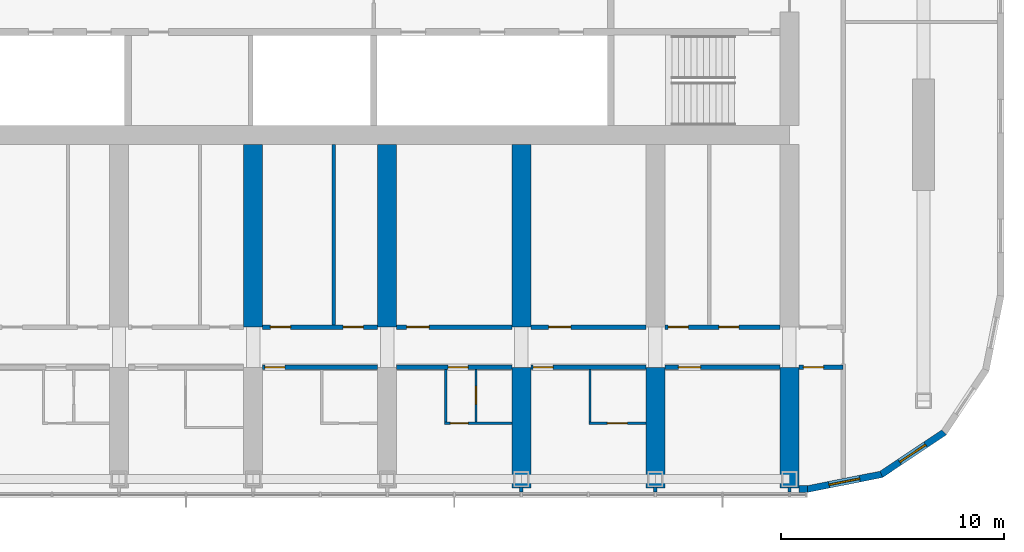
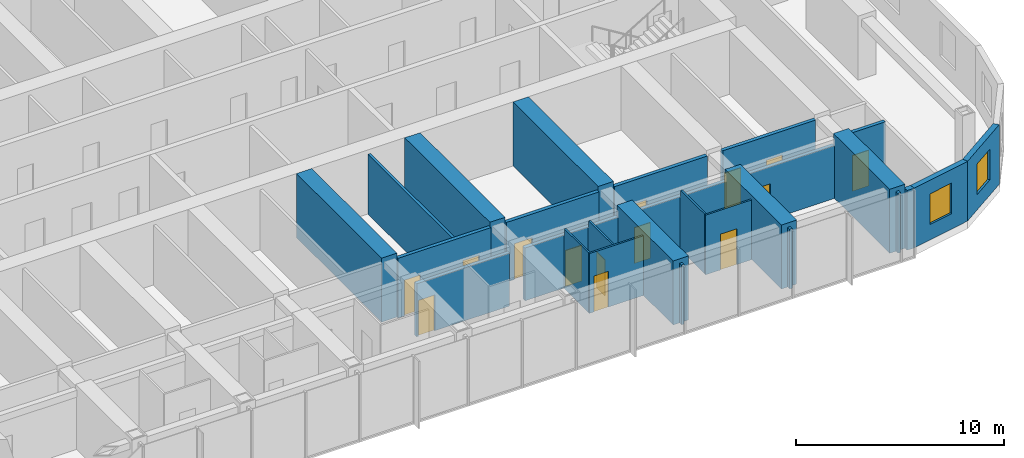
# One storey, part 16 of 29: 27 walls, 14 doors, 2 windows, 16 openings.
"""IFC4 building model written with IfcOpenShell, lengths in metres."""

import ifcopenshell
import ifcopenshell.guid

model = None  # the IFC model being written
_history = None  # IfcOwnerHistory: only IFC2X3 demands one
_inside = {}  # id of a spatial element -> (the spatial element, [elements in it])
_under = {}  # id of a project, library or spatial element -> (it, [spatial elements below it])
_declared = {}  # id of a project -> (the project, [libraries it declares])
_typed = {}  # id of a type object -> (the type object, [elements of that type])
_made_of = {}  # id of a material, layer set ... -> (it, [elements and type objects made of it])


def new_model(schema):
    """Start an empty IFC model of exactly this schema.

    Asked for "IFC4X3", IfcOpenShell would pick the latest addendum, in which some entities
    have other attributes; the version numbers below select the first issue.
    IFC2X3 requires an IfcOwnerHistory on every rooted entity: one is made here for all.
    """
    global model, _history
    if schema == "IFC4X3":
        model = ifcopenshell.file(schema_version=(4, 3, 0, 0))
    else:
        model = ifcopenshell.file(schema=schema)
    _inside.clear()
    _under.clear()
    _declared.clear()
    _typed.clear()
    _made_of.clear()
    _history = None
    if model.schema == "IFC2X3":
        org = make("IfcOrganization", Name="unknown")
        user = make(
            "IfcPersonAndOrganization",
            ThePerson=make("IfcPerson", FamilyName="unknown"),
            TheOrganization=org,
        )
        app = make(
            "IfcApplication",
            ApplicationDeveloper=org,
            Version="unknown",
            ApplicationFullName="unknown",
            ApplicationIdentifier="unknown",
        )
        _history = make(
            "IfcOwnerHistory",
            OwningUser=user,
            OwningApplication=app,
            ChangeAction="ADDED",
            CreationDate=0,
        )
    return model


def make(cls, **values):
    """One entity of the class cls with the attributes given. An attribute that is None is left unset."""
    return model.create_entity(
        cls, **{name: value for name, value in values.items() if value is not None}
    )


def rooted(cls, **values):
    """An entity with a GlobalId (a new one), such as an element, a storey or a relation."""
    return make(cls, GlobalId=ifcopenshell.guid.new(), OwnerHistory=_history, **values)


def si_unit(unit_type, name, prefix=None):
    """IfcSIUnit, for example si_unit("LENGTHUNIT", "METRE", prefix="MILLI")."""
    return make("IfcSIUnit", UnitType=unit_type, Prefix=prefix, Name=name)


def assignment(units):
    """IfcUnitAssignment: the units of a project."""
    return None if units is None else make("IfcUnitAssignment", Units=units)


def point(xyz):
    """IfcCartesianPoint."""
    return None if xyz is None else make("IfcCartesianPoint", Coordinates=xyz)


def direction(xyz):
    """IfcDirection."""
    return None if xyz is None else make("IfcDirection", DirectionRatios=xyz)


def frame(location, z_axis=None, x_axis=None):
    """IfcAxis2Placement3D, a coordinate frame: its origin and axes. An axis left out is left unset."""
    return make(
        "IfcAxis2Placement3D",
        Location=point(location),
        Axis=direction(z_axis),
        RefDirection=direction(x_axis),
    )


def frame_2d(location, x_axis=None):
    """IfcAxis2Placement2D, a coordinate frame in the plane: its origin and x axis."""
    return make(
        "IfcAxis2Placement2D", Location=point(location), RefDirection=direction(x_axis)
    )


def origin():
    """The frame at (0, 0, 0) with its axes left unset."""
    return frame((0.0, 0.0, 0.0))


def place(relative_to, where):
    """IfcLocalPlacement: puts the frame where relative to a parent placement (None: the world)."""
    return make(
        "IfcLocalPlacement", PlacementRelTo=relative_to, RelativePlacement=where
    )


def context(
    kind, dimensions, precision=None, world=None, true_north=None, identifier=None
):
    """IfcGeometricRepresentationContext, for example the 3D "Model" context."""
    return make(
        "IfcGeometricRepresentationContext",
        ContextIdentifier=identifier,
        ContextType=kind,
        CoordinateSpaceDimension=dimensions,
        Precision=precision,
        WorldCoordinateSystem=world,
        TrueNorth=true_north,
    )


def subcontext(parent, identifier, kind, view, scale=None):
    """IfcGeometricRepresentationSubContext, for example "Body" below "Model"."""
    return make(
        "IfcGeometricRepresentationSubContext",
        ContextIdentifier=identifier,
        ContextType=kind,
        ParentContext=parent,
        TargetScale=scale,
        TargetView=view,
    )


def project(units=None, contexts=None):
    """IfcProject with its units and contexts."""
    return rooted(
        "IfcProject",
        Name="project",
        RepresentationContexts=contexts,
        UnitsInContext=assignment(units),
    )


def spatial(cls, under=None, at=None, **own):
    """A site, building, storey or space (cls), placed at a placement, below another one or the project."""
    s = rooted(cls, ObjectPlacement=at, **own)
    if under is not None:
        _under.setdefault(under.id(), (under, []))[1].append(s)
    return s


def polyline(points):
    """IfcPolyline through the points."""
    return make("IfcPolyline", Points=[point(p) for p in points])


def profile(cls, at=None, kind="AREA", **sizes):
    """A parametric profile (cls). Its sizes go by their IFC names, for example OverallWidth=200.0."""
    return make(cls, ProfileType=kind, Position=at, **sizes)


def rectangle(**sizes):
    """IfcRectangleProfileDef."""
    return profile("IfcRectangleProfileDef", **sizes)


def outline(outer, holes=None, kind="AREA"):
    """IfcArbitraryClosedProfileDef: a profile drawn as a closed curve; with holes, ...WithVoids."""
    if holes is None:
        return make("IfcArbitraryClosedProfileDef", ProfileType=kind, OuterCurve=outer)
    return make(
        "IfcArbitraryProfileDefWithVoids",
        ProfileType=kind,
        OuterCurve=outer,
        InnerCurves=holes,
    )


def extrude(swept, where, along, depth):
    """IfcExtrudedAreaSolid: the profile swept, set in the frame where, extruded along a direction by depth."""
    return make(
        "IfcExtrudedAreaSolid",
        SweptArea=swept,
        Position=where,
        ExtrudedDirection=direction(along),
        Depth=depth,
    )


def shape(context_of_items, identifier, shape_type, items):
    """IfcShapeRepresentation: the items that make up one representation, for example the "Body"."""
    return make(
        "IfcShapeRepresentation",
        ContextOfItems=context_of_items,
        RepresentationIdentifier=identifier,
        RepresentationType=shape_type,
        Items=items,
    )


def material(Name=None, Category=None):
    """IfcMaterial."""
    return make("IfcMaterial", Name=Name, Category=Category)


def layer(
    of_material, thickness, ventilated=None, Name=None, Category=None, Priority=None
):
    """IfcMaterialLayer: one layer of a wall or slab, of a material (None: an air gap)."""
    return make(
        "IfcMaterialLayer",
        Material=of_material,
        LayerThickness=thickness,
        IsVentilated=ventilated,
        Name=Name,
        Category=Category,
        Priority=Priority,
    )


def layer_set(layers, Name=None):
    """IfcMaterialLayerSet."""
    return make("IfcMaterialLayerSet", MaterialLayers=layers, LayerSetName=Name)


def made_of(thing, what):
    """Note that an element or type object is made of a material, layer set ...; save() writes the relation."""
    if what is not None:
        _made_of.setdefault(what.id(), (what, []))[1].append(thing)
    return thing


def type_object(cls, material=None, **own):
    """A type object (cls), such as IfcWallType, which elements share."""
    return made_of(rooted(cls, **own), material)


def element(
    cls,
    number,
    at=None,
    inside=None,
    cuts=None,
    type_object=None,
    material=None,
    context=None,
    identifier="Body",
    shape_type=None,
    held_by="IfcProductDefinitionShape",
    body=None,
    shapes=None,
    **own,
):
    """One element of the class cls, such as IfcWall. Its Tag is "e" and its number.

    at: its placement. inside: the storey or other place that contains it. cuts: it is an
    opening in that element (IfcRelVoidsElement). A single representation is given by context,
    identifier, shape_type and body (its items); several are given by shapes. held_by: the class
    of the entity that holds the representations. save() writes the other relations.
    """
    e = rooted(cls, Tag="e%d" % number, ObjectPlacement=at, **own)
    if body is not None:
        shapes = [shape(context, identifier, shape_type, body)]
    if shapes is not None:
        e.Representation = make(held_by, Representations=shapes)
    if inside is not None:
        _inside.setdefault(inside.id(), (inside, []))[1].append(e)
    if cuts is not None:
        rooted(
            "IfcRelVoidsElement", RelatingBuildingElement=cuts, RelatedOpeningElement=e
        )
    if type_object is not None:
        _typed.setdefault(type_object.id(), (type_object, []))[1].append(e)
    return made_of(e, material)


def fill(opening, filler):
    """IfcRelFillsElement: the door or window that sits in an opening."""
    return rooted(
        "IfcRelFillsElement",
        RelatingOpeningElement=opening,
        RelatedBuildingElement=filler,
    )


def aggregate(whole, parts):
    """IfcRelAggregates: a whole, such as a stair, and the parts it consists of."""
    return rooted("IfcRelAggregates", RelatingObject=whole, RelatedObjects=parts)


def save(model, path):
    """Write the relations noted so far, then the file.

    IfcRelAggregates (storeys below a building ...), IfcRelContainedInSpatialStructure (elements
    in a storey), IfcRelDefinesByType, IfcRelAssociatesMaterial and IfcRelDeclares: one each for
    every whole, place, type object, material and project.
    """
    for whole, parts in _under.values():
        aggregate(whole, parts)
    for where, things in _inside.values():
        rooted(
            "IfcRelContainedInSpatialStructure",
            RelatedElements=things,
            RelatingStructure=where,
        )
    for kind, things in _typed.values():
        rooted("IfcRelDefinesByType", RelatedObjects=things, RelatingType=kind)
    for what, things in _made_of.values():
        rooted("IfcRelAssociatesMaterial", RelatedObjects=things, RelatingMaterial=what)
    for by, libraries in _declared.values():
        rooted("IfcRelDeclares", RelatingContext=by, RelatedDefinitions=libraries)
    model.write(path)


model = new_model("IFC4")

# Units and contexts
model_context = context("Model", 3, precision=1e-05, world=origin(), true_north=direction((0.0, 1.0)))
body_context = subcontext(model_context, "Body", "Model", "MODEL_VIEW")
ifc_project = project(units=[si_unit("LENGTHUNIT", "METRE"), si_unit("AREAUNIT", "SQUARE_METRE"), si_unit("VOLUMEUNIT", "CUBIC_METRE"), si_unit("PLANEANGLEUNIT", "RADIAN"), si_unit("MASSUNIT", "GRAM", prefix="KILO")], contexts=[model_context])

# Site, building, storey
site_placement = place(None, origin())
site = spatial("IfcSite", under=ifc_project, at=site_placement, CompositionType="ELEMENT")
building_placement = place(site_placement, origin())
building = spatial("IfcBuilding", under=site, at=building_placement, Name="Orbita Commons", CompositionType="ELEMENT")
storey_placement = place(building_placement, frame((0.0, 0.0, 148.60009765625)))
storey = spatial("IfcBuildingStorey", under=building, at=storey_placement, Name="L36", CompositionType="ELEMENT", Elevation=148.60009765625)

# Wall, opening, door
ifc_material_1 = material(Name="Concrete blockwork", Category="masonry")
ifc_layer_1 = layer(ifc_material_1, 0.199951171875)
ifc_layer_set_1 = layer_set([ifc_layer_1], Name="Concrete blockwork")
wall_type_1 = type_object("IfcWallType", Name="Corridor wall 200 blockwork", PredefinedType="SOLIDWALL", material=ifc_layer_set_1)
wall_1_placement = place(storey_placement, frame((42.425048828125, 15.39990234375, 0.0), z_axis=(0.0, 0.0, 1.0), x_axis=(1.0, 0.0, 0.0)))
wall_1 = element("IfcWall", 1, at=wall_1_placement, inside=storey, type_object=wall_type_1, Name="Corridor wall 200 blockwork L36", PredefinedType="SOLIDWALL", context=body_context, shape_type="SweptSolid", body=[
    extrude(outline(polyline([(0.0, 0.0), (5.14990234375, 0.0), (5.14990234375, 3.099853515625), (0.0, 3.099853515625), (0.0, 0.0)])), frame((0.0, 0.10009765625, 0.0), z_axis=(0.0, -1.0, 0.0), x_axis=(1.0, 0.0, 0.0)), (0.0, 0.0, 1.0), 0.199951171875),
])
opening_1_placement = place(wall_1_placement, frame((0.10009765625, 0.0, 0.0)))
opening_1 = element("IfcOpeningElement", 2, at=opening_1_placement, cuts=wall_1, Name="Opening D11", PredefinedType="OPENING", context=body_context, shape_type="SweptSolid", body=[
    extrude(rectangle(XDim=0.89990234375, YDim=2.10009765625, at=frame_2d((0.449951171875, 1.050048828125))), frame((0.0, 0.10986328125, 0.0), z_axis=(0.0, -1.0, 0.0), x_axis=(1.0, 0.0, 0.0)), (0.0, 0.0, 1.0), 0.219970703125),
])
ifc_material_2 = material(Name="Steel-faced fire door leaf", Category="steel")
door_type_1 = type_object("IfcDoorType", Name="Corridor door 20 min 900x2100", OperationType="SINGLE_SWING_LEFT", PredefinedType="DOOR", material=ifc_material_2)
door_1_placement = place(opening_1_placement, origin())
door_1 = element("IfcDoor", 3, at=door_1_placement, inside=storey, type_object=door_type_1, Name="Twin room L36-S08 door", OperationType="SINGLE_SWING_LEFT", OverallHeight=2.10009765625, OverallWidth=0.89990234375, PredefinedType="DOOR", context=body_context, shape_type="SweptSolid", body=[
    extrude(rectangle(XDim=0.89990234375, YDim=2.10009765625, at=frame_2d((0.449951171875, 1.050048828125))), frame((0.0, 0.02490234375, 0.0), z_axis=(0.0, -1.0, 0.0), x_axis=(1.0, 0.0, 0.0)), (0.0, 0.0, 1.0), 0.050048828125),
])
fill(opening_1, door_1)

wall_2_placement = place(storey_placement, frame((48.425048828125, 15.39990234375, 0.0), z_axis=(0.0, 0.0, 1.0), x_axis=(1.0, 0.0, 0.0)))
wall_2 = element("IfcWall", 4, at=wall_2_placement, inside=storey, type_object=wall_type_1, Name="Corridor wall 200 blockwork L36", PredefinedType="SOLIDWALL", context=body_context, shape_type="SweptSolid", body=[
    extrude(outline(polyline([(0.0, 0.0), (5.14990234375, 0.0), (5.14990234375, 3.099853515625), (0.0, 3.099853515625), (0.0, 0.0)])), frame((0.0, 0.10009765625, 0.0), z_axis=(0.0, -1.0, 0.0), x_axis=(1.0, 0.0, 0.0)), (0.0, 0.0, 1.0), 0.199951171875),
])
opening_2_placement = place(wall_2_placement, frame((2.300048828125, 0.0, 0.0)))
opening_2 = element("IfcOpeningElement", 5, at=opening_2_placement, cuts=wall_2, Name="Opening D11", PredefinedType="OPENING", context=body_context, shape_type="SweptSolid", body=[
    extrude(rectangle(XDim=0.89990234375, YDim=2.10009765625, at=frame_2d((0.449951171875, 1.050048828125))), frame((0.0, 0.10986328125, 0.0), z_axis=(0.0, -1.0, 0.0), x_axis=(1.0, 0.0, 0.0)), (0.0, 0.0, 1.0), 0.219970703125),
])
door_2_placement = place(opening_2_placement, origin())
door_2 = element("IfcDoor", 6, at=door_2_placement, inside=storey, type_object=door_type_1, Name="Studio flat L36-S10 entrance door", OperationType="SINGLE_SWING_LEFT", OverallHeight=2.10009765625, OverallWidth=0.89990234375, PredefinedType="DOOR", context=body_context, shape_type="SweptSolid", body=[
    extrude(rectangle(XDim=0.89990234375, YDim=2.10009765625, at=frame_2d((0.449951171875, 1.050048828125))), frame((0.0, 0.02490234375, 0.0), z_axis=(0.0, -1.0, 0.0), x_axis=(1.0, 0.0, 0.0)), (0.0, 0.0, 1.0), 0.050048828125),
])
fill(opening_2, door_2)

wall_3_placement = place(storey_placement, frame((54.425048828125, 15.39990234375, 0.0), z_axis=(0.0, 0.0, 1.0), x_axis=(1.0, 0.0, 0.0)))
wall_3 = element("IfcWall", 7, at=wall_3_placement, inside=storey, type_object=wall_type_1, Name="Corridor wall 200 blockwork L36", PredefinedType="SOLIDWALL", context=body_context, shape_type="SweptSolid", body=[
    extrude(outline(polyline([(0.0, 0.0), (5.14990234375, 0.0), (5.14990234375, 3.099853515625), (0.0, 3.099853515625), (0.0, 0.0)])), frame((0.0, 0.10009765625, 0.0), z_axis=(0.0, -1.0, 0.0), x_axis=(1.0, 0.0, 0.0)), (0.0, 0.0, 1.0), 0.199951171875),
])
opening_3_placement = place(wall_3_placement, frame((0.10009765625, 0.0, 0.0)))
opening_3 = element("IfcOpeningElement", 8, at=opening_3_placement, cuts=wall_3, Name="Opening D11", PredefinedType="OPENING", context=body_context, shape_type="SweptSolid", body=[
    extrude(rectangle(XDim=0.89990234375, YDim=2.10009765625, at=frame_2d((0.449951171875, 1.050048828125))), frame((0.0, 0.10986328125, 0.0), z_axis=(0.0, -1.0, 0.0), x_axis=(1.0, 0.0, 0.0)), (0.0, 0.0, 1.0), 0.219970703125),
])
door_3_placement = place(opening_3_placement, origin())
door_3 = element("IfcDoor", 9, at=door_3_placement, inside=storey, type_object=door_type_1, Name="Twin room L36-S12 door", OperationType="SINGLE_SWING_LEFT", OverallHeight=2.10009765625, OverallWidth=0.89990234375, PredefinedType="DOOR", context=body_context, shape_type="SweptSolid", body=[
    extrude(rectangle(XDim=0.89990234375, YDim=2.10009765625, at=frame_2d((0.449951171875, 1.050048828125))), frame((0.0, 0.02490234375, 0.0), z_axis=(0.0, -1.0, 0.0), x_axis=(1.0, 0.0, 0.0)), (0.0, 0.0, 1.0), 0.050048828125),
])
fill(opening_3, door_3)

wall_4_placement = place(storey_placement, frame((60.425048828125, 15.39990234375, 0.0), z_axis=(0.0, 0.0, 1.0), x_axis=(1.0, 0.0, 0.0)))
wall_4 = element("IfcWall", 10, at=wall_4_placement, inside=storey, type_object=wall_type_1, Name="Corridor wall 200 blockwork L36", PredefinedType="SOLIDWALL", context=body_context, shape_type="SweptSolid", body=[
    extrude(outline(polyline([(0.0, 0.0), (5.14990234375, 0.0), (5.14990234375, 3.099853515625), (0.0, 3.099853515625), (0.0, 0.0)])), frame((0.0, 0.10009765625, 0.0), z_axis=(0.0, -1.0, 0.0), x_axis=(1.0, 0.0, 0.0)), (0.0, 0.0, 1.0), 0.199951171875),
])
opening_4_placement = place(wall_4_placement, frame((0.60009765625, 0.0, 0.0)))
opening_4 = element("IfcOpeningElement", 11, at=opening_4_placement, cuts=wall_4, Name="Opening D06", PredefinedType="OPENING", context=body_context, shape_type="SweptSolid", body=[
    extrude(rectangle(XDim=1.0, YDim=2.10009765625, at=frame_2d((0.5, 1.050048828125))), frame((0.0, 0.10986328125, 0.0), z_axis=(0.0, -1.0, 0.0), x_axis=(1.0, 0.0, 0.0)), (0.0, 0.0, 1.0), 0.219970703125),
])
ifc_material_3 = material(Name="Steel-faced fire door leaf", Category="steel")
door_type_2 = type_object("IfcDoorType", Name="Corridor door 20 min 1000x2100", OperationType="SINGLE_SWING_LEFT", PredefinedType="DOOR", material=ifc_material_3)
door_4_placement = place(opening_4_placement, origin())
door_4 = element("IfcDoor", 12, at=door_4_placement, inside=storey, type_object=door_type_2, Name="Cluster kitchen-diner L36-S14 door", OperationType="SINGLE_SWING_LEFT", OverallHeight=2.10009765625, OverallWidth=1.0, PredefinedType="DOOR", context=body_context, shape_type="SweptSolid", body=[
    extrude(rectangle(XDim=1.0, YDim=2.10009765625, at=frame_2d((0.5, 1.050048828125))), frame((0.0, 0.02490234375, 0.0), z_axis=(0.0, -1.0, 0.0), x_axis=(1.0, 0.0, 0.0)), (0.0, 0.0, 1.0), 0.050048828125),
])
fill(opening_4, door_4)

wall_5_placement = place(storey_placement, frame((66.425048828125, 15.39990234375, 0.0), z_axis=(0.0, 0.0, 1.0), x_axis=(1.0, 0.0, 0.0)))
wall_5 = element("IfcWall", 13, at=wall_5_placement, inside=storey, type_object=wall_type_1, Name="Corridor wall 200 blockwork L36", PredefinedType="SOLIDWALL", context=body_context, shape_type="SweptSolid", body=[
    extrude(rectangle(XDim=1.974853515625, YDim=0.199951171875, at=frame_2d((0.9873046875, 0.0))), origin(), (0.0, 0.0, 1.0), 3.5),
])
opening_5_placement = place(wall_5_placement, frame((0.199951171875, 0.0, 0.0)))
opening_5 = element("IfcOpeningElement", 14, at=opening_5_placement, cuts=wall_5, Name="Opening D05", PredefinedType="OPENING", context=body_context, shape_type="SweptSolid", body=[
    extrude(rectangle(XDim=0.89990234375, YDim=2.10009765625, at=frame_2d((0.449951171875, 1.050048828125))), frame((0.0, 0.10986328125, 0.0), z_axis=(0.0, -1.0, 0.0), x_axis=(1.0, 0.0, 0.0)), (0.0, 0.0, 1.0), 0.219970703125),
])
ifc_material_4 = material(Name="Steel-faced fire door leaf", Category="steel")
door_type_3 = type_object("IfcDoorType", Name="Service door 20 min 900x2100", OperationType="SINGLE_SWING_LEFT", PredefinedType="DOOR", material=ifc_material_4)
door_5_placement = place(opening_5_placement, origin())
door_5 = element("IfcDoor", 15, at=door_5_placement, inside=storey, type_object=door_type_3, Name="Linen store L36-KES door", OperationType="SINGLE_SWING_LEFT", OverallHeight=2.10009765625, OverallWidth=0.89990234375, PredefinedType="DOOR", context=body_context, shape_type="SweptSolid", body=[
    extrude(rectangle(XDim=0.89990234375, YDim=2.10009765625, at=frame_2d((0.449951171875, 1.050048828125))), frame((0.0, 0.02490234375, 0.0), z_axis=(0.0, -1.0, 0.0), x_axis=(1.0, 0.0, 0.0)), (0.0, 0.0, 1.0), 0.050048828125),
])
fill(opening_5, door_5)

# Wall, openings, doors
ifc_material_5 = material(Name="Hollow concrete block 200", Category="concrete")
ifc_layer_2 = layer(ifc_material_5, 0.199951171875)
ifc_layer_set_2 = layer_set([ifc_layer_2], Name="Hollow concrete block 200")
wall_type_2 = type_object("IfcWallType", Name="Corridor wall 200 hollow concrete block", PredefinedType="SOLIDWALL", material=ifc_layer_set_2)
wall_6_placement = place(storey_placement, frame((42.425048828125, 17.199951171875, 0.0), z_axis=(0.0, 0.0, 1.0), x_axis=(1.0, 0.0, 0.0)))
wall_6 = element("IfcWall", 16, at=wall_6_placement, inside=storey, type_object=wall_type_2, Name="Corridor wall 200 hollow concrete block L36", PredefinedType="SOLIDWALL", context=body_context, shape_type="SweptSolid", body=[
    extrude(rectangle(XDim=5.14990234375, YDim=0.199951171875, at=frame_2d((2.574951171875, 0.0))), origin(), (0.0, 0.0, 1.0), 3.5),
])
opening_6_placement = place(wall_6_placement, frame((0.35009765625, 0.0, 0.0)))
opening_6 = element("IfcOpeningElement", 17, at=opening_6_placement, cuts=wall_6, Name="Opening D11", PredefinedType="OPENING", context=body_context, shape_type="SweptSolid", body=[
    extrude(rectangle(XDim=0.89990234375, YDim=2.10009765625, at=frame_2d((0.449951171875, 1.050048828125))), frame((0.0, 0.10986328125, 0.0), z_axis=(0.0, -1.0, 0.0), x_axis=(1.0, 0.0, 0.0)), (0.0, 0.0, 1.0), 0.219970703125),
])
opening_7_placement = place(wall_6_placement, frame((3.60498046875, 0.0, 0.0)))
opening_7 = element("IfcOpeningElement", 18, at=opening_7_placement, cuts=wall_6, Name="Opening D11", PredefinedType="OPENING", context=body_context, shape_type="SweptSolid", body=[
    extrude(rectangle(XDim=0.89990234375, YDim=2.10009765625, at=frame_2d((0.449951171875, 1.050048828125))), frame((0.0, 0.10986328125, 0.0), z_axis=(0.0, -1.0, 0.0), x_axis=(1.0, 0.0, 0.0)), (0.0, 0.0, 1.0), 0.219970703125),
])
door_6_placement = place(opening_6_placement, origin())
door_6 = element("IfcDoor", 19, at=door_6_placement, inside=storey, type_object=door_type_1, Name="Refuse and recycling room L36-BDS42 door", OperationType="SINGLE_SWING_LEFT", OverallHeight=2.10009765625, OverallWidth=0.89990234375, PredefinedType="DOOR", context=body_context, shape_type="SweptSolid", body=[
    extrude(rectangle(XDim=0.89990234375, YDim=2.10009765625, at=frame_2d((0.449951171875, 1.050048828125))), frame((0.0, 0.02490234375, 0.0), z_axis=(0.0, -1.0, 0.0), x_axis=(1.0, 0.0, 0.0)), (0.0, 0.0, 1.0), 0.050048828125),
])
fill(opening_6, door_6)
door_7_placement = place(opening_7_placement, origin())
door_7 = element("IfcDoor", 20, at=door_7_placement, inside=storey, type_object=door_type_1, Name="Battery and UPS room L36-BDS42n door", OperationType="SINGLE_SWING_LEFT", OverallHeight=2.10009765625, OverallWidth=0.89990234375, PredefinedType="DOOR", context=body_context, shape_type="SweptSolid", body=[
    extrude(rectangle(XDim=0.89990234375, YDim=2.10009765625, at=frame_2d((0.449951171875, 1.050048828125))), frame((0.0, 0.02490234375, 0.0), z_axis=(0.0, -1.0, 0.0), x_axis=(1.0, 0.0, 0.0)), (0.0, 0.0, 1.0), 0.050048828125),
])
fill(opening_7, door_7)

# Wall, opening, door
wall_7_placement = place(storey_placement, frame((48.425048828125, 17.199951171875, 0.0), z_axis=(0.0, 0.0, 1.0), x_axis=(1.0, 0.0, 0.0)))
wall_7 = element("IfcWall", 21, at=wall_7_placement, inside=storey, type_object=wall_type_2, Name="Corridor wall 200 hollow concrete block L36", PredefinedType="SOLIDWALL", context=body_context, shape_type="SweptSolid", body=[
    extrude(rectangle(XDim=5.14990234375, YDim=0.199951171875, at=frame_2d((2.574951171875, 0.0))), origin(), (0.0, 0.0, 1.0), 3.5),
])
opening_8_placement = place(wall_7_placement, frame((0.449951171875, 0.0, 0.0)))
opening_8 = element("IfcOpeningElement", 22, at=opening_8_placement, cuts=wall_7, Name="Opening D06", PredefinedType="OPENING", context=body_context, shape_type="SweptSolid", body=[
    extrude(rectangle(XDim=1.0, YDim=2.10009765625, at=frame_2d((0.5, 1.050048828125))), frame((0.0, 0.10986328125, 0.0), z_axis=(0.0, -1.0, 0.0), x_axis=(1.0, 0.0, 0.0)), (0.0, 0.0, 1.0), 0.219970703125),
])
door_8_placement = place(opening_8_placement, origin())
door_8 = element("IfcDoor", 23, at=door_8_placement, inside=storey, type_object=door_type_2, Name="Linen store L36-BDS48 door", OperationType="SINGLE_SWING_LEFT", OverallHeight=2.10009765625, OverallWidth=1.0, PredefinedType="DOOR", context=body_context, shape_type="SweptSolid", body=[
    extrude(rectangle(XDim=1.0, YDim=2.10009765625, at=frame_2d((0.5, 1.050048828125))), frame((0.0, 0.02490234375, 0.0), z_axis=(0.0, -1.0, 0.0), x_axis=(1.0, 0.0, 0.0)), (0.0, 0.0, 1.0), 0.050048828125),
])
fill(opening_8, door_8)

wall_8_placement = place(storey_placement, frame((54.425048828125, 17.199951171875, 0.0), z_axis=(0.0, 0.0, 1.0), x_axis=(1.0, 0.0, 0.0)))
wall_8 = element("IfcWall", 24, at=wall_8_placement, inside=storey, type_object=wall_type_2, Name="Corridor wall 200 hollow concrete block L36", PredefinedType="SOLIDWALL", context=body_context, shape_type="SweptSolid", body=[
    extrude(rectangle(XDim=5.14990234375, YDim=0.199951171875, at=frame_2d((2.574951171875, 0.0))), origin(), (0.0, 0.0, 1.0), 3.5),
])
opening_9_placement = place(wall_8_placement, frame((0.800048828125, 0.0, 0.0)))
opening_9 = element("IfcOpeningElement", 25, at=opening_9_placement, cuts=wall_8, Name="Opening D06", PredefinedType="OPENING", context=body_context, shape_type="SweptSolid", body=[
    extrude(rectangle(XDim=1.0, YDim=2.10009765625, at=frame_2d((0.5, 1.050048828125))), frame((0.0, 0.10986328125, 0.0), z_axis=(0.0, -1.0, 0.0), x_axis=(1.0, 0.0, 0.0)), (0.0, 0.0, 1.0), 0.219970703125),
])
door_9_placement = place(opening_9_placement, origin())
door_9 = element("IfcDoor", 26, at=door_9_placement, inside=storey, type_object=door_type_2, Name="Pantry L36-BDS54 door", OperationType="SINGLE_SWING_LEFT", OverallHeight=2.10009765625, OverallWidth=1.0, PredefinedType="DOOR", context=body_context, shape_type="SweptSolid", body=[
    extrude(rectangle(XDim=1.0, YDim=2.10009765625, at=frame_2d((0.5, 1.050048828125))), frame((0.0, 0.02490234375, 0.0), z_axis=(0.0, -1.0, 0.0), x_axis=(1.0, 0.0, 0.0)), (0.0, 0.0, 1.0), 0.050048828125),
])
fill(opening_9, door_9)

# Wall, openings, doors
wall_9_placement = place(storey_placement, frame((60.425048828125, 17.199951171875, 0.0), z_axis=(0.0, 0.0, 1.0), x_axis=(1.0, 0.0, 0.0)))
wall_9 = element("IfcWall", 27, at=wall_9_placement, inside=storey, type_object=wall_type_2, Name="Corridor wall 200 hollow concrete block L36", PredefinedType="SOLIDWALL", context=body_context, shape_type="SweptSolid", body=[
    extrude(rectangle(XDim=5.14990234375, YDim=0.199951171875, at=frame_2d((2.574951171875, 0.0))), origin(), (0.0, 0.0, 1.0), 3.5),
])
opening_10_placement = place(wall_9_placement, frame((0.14990234375, 0.0, 0.0)))
opening_10 = element("IfcOpeningElement", 28, at=opening_10_placement, cuts=wall_9, Name="Opening D11", PredefinedType="OPENING", context=body_context, shape_type="SweptSolid", body=[
    extrude(rectangle(XDim=0.89990234375, YDim=2.10009765625, at=frame_2d((0.449951171875, 1.050048828125))), frame((0.0, 0.10986328125, 0.0), z_axis=(0.0, -1.0, 0.0), x_axis=(1.0, 0.0, 0.0)), (0.0, 0.0, 1.0), 0.219970703125),
])
opening_11_placement = place(wall_9_placement, frame((2.4150390625, 0.0, 0.0)))
opening_11 = element("IfcOpeningElement", 29, at=opening_11_placement, cuts=wall_9, Name="Opening D11", PredefinedType="OPENING", context=body_context, shape_type="SweptSolid", body=[
    extrude(rectangle(XDim=0.89990234375, YDim=2.10009765625, at=frame_2d((0.449951171875, 1.050048828125))), frame((0.0, 0.10986328125, 0.0), z_axis=(0.0, -1.0, 0.0), x_axis=(1.0, 0.0, 0.0)), (0.0, 0.0, 1.0), 0.219970703125),
])
door_10_placement = place(opening_10_placement, origin())
door_10 = element("IfcDoor", 30, at=door_10_placement, inside=storey, type_object=door_type_1, Name="Sprinkler valve room L36-BDS60n door", OperationType="SINGLE_SWING_LEFT", OverallHeight=2.10009765625, OverallWidth=0.89990234375, PredefinedType="DOOR", context=body_context, shape_type="SweptSolid", body=[
    extrude(rectangle(XDim=0.89990234375, YDim=2.10009765625, at=frame_2d((0.449951171875, 1.050048828125))), frame((0.0, 0.02490234375, 0.0), z_axis=(0.0, -1.0, 0.0), x_axis=(1.0, 0.0, 0.0)), (0.0, 0.0, 1.0), 0.050048828125),
])
fill(opening_10, door_10)
door_11_placement = place(opening_11_placement, origin())
door_11 = element("IfcDoor", 31, at=door_11_placement, inside=storey, type_object=door_type_1, Name="Cleaners store L36-BDS60 door", OperationType="SINGLE_SWING_LEFT", OverallHeight=2.10009765625, OverallWidth=0.89990234375, PredefinedType="DOOR", context=body_context, shape_type="SweptSolid", body=[
    extrude(rectangle(XDim=0.89990234375, YDim=2.10009765625, at=frame_2d((0.449951171875, 1.050048828125))), frame((0.0, 0.02490234375, 0.0), z_axis=(0.0, -1.0, 0.0), x_axis=(1.0, 0.0, 0.0)), (0.0, 0.0, 1.0), 0.050048828125),
])
fill(opening_11, door_11)

# Walls
ifc_material_6 = material(Name="Concrete C50/60", Category="concrete")
ifc_layer_3 = layer(ifc_material_6, 0.85009765625)
ifc_layer_set_3 = layer_set([ifc_layer_3], Name="Concrete C50/60")
wall_type_3 = type_object("IfcWallType", Name="Cross wall 850 C50/60", PredefinedType="SHEAR", material=ifc_layer_set_3)
for number, where, z_axis, x_axis, name in (
    (32, (42.0, 17.199951171875, 0.0), (0.0, 0.0, 1.0), (0.0, 1.0, 0.0), "Cross wall 8 south inner L36"),
    (33, (48.0, 17.199951171875, 0.0), (0.0, 0.0, 1.0), (0.0, 1.0, 0.0), "Cross wall 9 south inner L36"),
):
    element("IfcWall", number, at=place(storey_placement, frame(where, z_axis=z_axis, x_axis=x_axis)), inside=storey, type_object=wall_type_3, Name=name, PredefinedType="SHEAR", context=body_context, shape_type="SweptSolid", body=[
        extrude(rectangle(XDim=8.175048828125, YDim=0.85009765625, at=frame_2d((4.08740234375, 0.0))), origin(), (0.0, 0.0, 1.0), 3.75),
    ])
wall_10_placement = place(storey_placement, frame((54.0, 10.0, 0.0), z_axis=(0.0, 0.0, 1.0), x_axis=(0.0, 1.0, 0.0)))
element("IfcWall", 34, at=wall_10_placement, inside=storey, type_object=wall_type_3, Name="Cross wall 10 south outer L36", PredefinedType="SHEAR", context=body_context, shape_type="SweptSolid", body=[
    extrude(rectangle(XDim=5.39990234375, YDim=0.85009765625, at=frame_2d((2.699951171875, 0.0))), origin(), (0.0, 0.0, 1.0), 3.75),
])
wall_11_placement = place(storey_placement, frame((54.0, 17.199951171875, 0.0), z_axis=(0.0, 0.0, 1.0), x_axis=(0.0, 1.0, 0.0)))
element("IfcWall", 35, at=wall_11_placement, inside=storey, type_object=wall_type_3, Name="Cross wall 10 south inner L36", PredefinedType="SHEAR", context=body_context, shape_type="SweptSolid", body=[
    extrude(rectangle(XDim=8.175048828125, YDim=0.85009765625, at=frame_2d((4.08740234375, 0.0))), origin(), (0.0, 0.0, 1.0), 3.75),
])
for number, where, z_axis, x_axis, name in (
    (36, (60.0, 10.0, 0.0), (0.0, 0.0, 1.0), (0.0, 1.0, 0.0), "Cross wall 11 south outer L36"),
    (37, (66.0, 10.0, 0.0), (0.0, 0.0, 1.0), (0.0, 1.0, 0.0), "Cross wall 12 south outer L36"),
):
    element("IfcWall", number, at=place(storey_placement, frame(where, z_axis=z_axis, x_axis=x_axis)), inside=storey, type_object=wall_type_3, Name=name, PredefinedType="SHEAR", context=body_context, shape_type="SweptSolid", body=[
        extrude(rectangle(XDim=5.39990234375, YDim=0.85009765625, at=frame_2d((2.699951171875, 0.0))), origin(), (0.0, 0.0, 1.0), 3.75),
    ])

# Wall, opening, door
ifc_material_7 = material(Name="Moisture-resistant plasterboard on steel studs", Category="steel")
ifc_layer_4 = layer(ifc_material_7, 0.10009765625)
ifc_layer_set_4 = layer_set([ifc_layer_4], Name="Moisture-resistant plasterboard on steel studs")
wall_type_4 = type_object("IfcWallType", Name="En-suite partition 100", PredefinedType="PARTITIONING", material=ifc_layer_set_4)
wall_12_placement = place(storey_placement, frame((53.574951171875, 12.89990234375, 0.0), z_axis=(0.0, 0.0, 1.0), x_axis=(-1.0, 0.0, 0.0)))
wall_12 = element("IfcWall", 38, at=wall_12_placement, inside=storey, type_object=wall_type_4, Name="En-suite partition 100 L36", PredefinedType="PARTITIONING", context=body_context, shape_type="SweptSolid", body=[
    extrude(rectangle(XDim=3.0, YDim=0.10009765625, at=frame_2d((1.5, 0.0))), origin(), (0.0, 0.0, 1.0), 3.5),
])
opening_12_placement = place(wall_12_placement, frame((1.949951171875, 0.0, 0.0)))
opening_12 = element("IfcOpeningElement", 39, at=opening_12_placement, cuts=wall_12, Name="Opening D16", PredefinedType="OPENING", context=body_context, shape_type="SweptSolid", body=[
    extrude(rectangle(XDim=0.800048828125, YDim=2.10009765625, at=frame_2d((0.39990234375, 1.050048828125))), frame((0.0, 0.06005859375, 0.0), z_axis=(0.0, -1.0, 0.0), x_axis=(1.0, 0.0, 0.0)), (0.0, 0.0, 1.0), 0.1201171875),
])
ifc_material_8 = material(Name="Laminated timber door leaf", Category="wood")
door_type_4 = type_object("IfcDoorType", Name="En-suite door 800x2100", OperationType="SINGLE_SWING_RIGHT", PredefinedType="DOOR", material=ifc_material_8)
door_12_placement = place(opening_12_placement, origin())
door_12 = element("IfcDoor", 40, at=door_12_placement, inside=storey, type_object=door_type_4, Name="Studio flat L36-S10 door", OperationType="SINGLE_SWING_RIGHT", OverallHeight=2.10009765625, OverallWidth=0.800048828125, PredefinedType="DOOR", context=body_context, shape_type="SweptSolid", body=[
    extrude(rectangle(XDim=0.800048828125, YDim=2.10009765625, at=frame_2d((0.39990234375, 1.050048828125))), frame((0.0, 0.02490234375, 0.0), z_axis=(0.0, -1.0, 0.0), x_axis=(1.0, 0.0, 0.0)), (0.0, 0.0, 1.0), 0.050048828125),
])
fill(opening_12, door_12)

# Wall
wall_13_placement = place(storey_placement, frame((50.625, 12.949951171875, 0.0), z_axis=(0.0, 0.0, 1.0), x_axis=(0.0, 1.0, 0.0)))
element("IfcWall", 41, at=wall_13_placement, inside=storey, type_object=wall_type_4, Name="En-suite partition 100 L36", PredefinedType="PARTITIONING", context=body_context, shape_type="SweptSolid", body=[
    extrude(outline(polyline([(0.0, 0.0), (2.35009765625, 0.0), (2.35009765625, 3.099853515625), (2.302001953125, 3.099853515625), (2.300048828125, 3.5), (0.0, 3.5), (0.0, 0.0)])), frame((0.0, 0.050048828125, 0.0), z_axis=(0.0, -1.0, 0.0), x_axis=(1.0, 0.0, 0.0)), (0.0, 0.0, 1.0), 0.10009765625),
])

# Wall, opening, door
wall_14_placement = place(storey_placement, frame((51.97509765625, 12.949951171875, 0.0), z_axis=(0.0, 0.0, 1.0), x_axis=(0.0, 1.0, 0.0)))
wall_14 = element("IfcWall", 42, at=wall_14_placement, inside=storey, type_object=wall_type_4, Name="En-suite partition 100 L36", PredefinedType="PARTITIONING", context=body_context, shape_type="SweptSolid", body=[
    extrude(outline(polyline([(0.0, 0.0), (2.35009765625, 0.0), (2.35009765625, 3.099853515625), (2.302001953125, 3.099853515625), (2.300048828125, 3.5), (0.0, 3.5), (0.0, 0.0)])), frame((0.0, 0.050048828125, 0.0), z_axis=(0.0, -1.0, 0.0), x_axis=(1.0, 0.0, 0.0)), (0.0, 0.0, 1.0), 0.10009765625),
])
opening_13_placement = place(wall_14_placement, frame((0.800048828125, 0.0, 0.0)))
opening_13 = element("IfcOpeningElement", 43, at=opening_13_placement, cuts=wall_14, Name="Opening D16", PredefinedType="OPENING", context=body_context, shape_type="SweptSolid", body=[
    extrude(rectangle(XDim=0.800048828125, YDim=2.10009765625, at=frame_2d((0.39990234375, 1.050048828125))), frame((0.0, 0.06005859375, 0.0), z_axis=(0.0, -1.0, 0.0), x_axis=(1.0, 0.0, 0.0)), (0.0, 0.0, 1.0), 0.1201171875),
])
door_13_placement = place(opening_13_placement, origin())
door_13 = element("IfcDoor", 44, at=door_13_placement, inside=storey, type_object=door_type_4, Name="Studio flat shower room L36-S10 door", OperationType="SINGLE_SWING_RIGHT", OverallHeight=2.10009765625, OverallWidth=0.800048828125, PredefinedType="DOOR", context=body_context, shape_type="SweptSolid", body=[
    extrude(rectangle(XDim=0.800048828125, YDim=2.10009765625, at=frame_2d((0.39990234375, 1.050048828125))), frame((0.0, 0.02490234375, 0.0), z_axis=(0.0, -1.0, 0.0), x_axis=(1.0, 0.0, 0.0)), (0.0, 0.0, 1.0), 0.050048828125),
])
fill(opening_13, door_13)

wall_15_placement = place(storey_placement, frame((59.574951171875, 12.89990234375, 0.0), z_axis=(0.0, 0.0, 1.0), x_axis=(-1.0, 0.0, 0.0)))
wall_15 = element("IfcWall", 45, at=wall_15_placement, inside=storey, type_object=wall_type_4, Name="En-suite partition 100 L36", PredefinedType="PARTITIONING", context=body_context, shape_type="SweptSolid", body=[
    extrude(rectangle(XDim=2.550048828125, YDim=0.10009765625, at=frame_2d((1.27490234375, 0.0))), origin(), (0.0, 0.0, 1.0), 3.5),
])
opening_14_placement = place(wall_15_placement, frame((0.824951171875, 0.0, 0.0)))
opening_14 = element("IfcOpeningElement", 46, at=opening_14_placement, cuts=wall_15, Name="Opening D09", PredefinedType="OPENING", context=body_context, shape_type="SweptSolid", body=[
    extrude(rectangle(XDim=0.89990234375, YDim=2.10009765625, at=frame_2d((0.449951171875, 1.050048828125))), frame((0.0, 0.06005859375, 0.0), z_axis=(0.0, -1.0, 0.0), x_axis=(1.0, 0.0, 0.0)), (0.0, 0.0, 1.0), 0.1201171875),
])
ifc_material_9 = material(Name="Laminated timber door leaf", Category="wood")
door_type_5 = type_object("IfcDoorType", Name="En-suite door 900x2100", OperationType="SINGLE_SWING_RIGHT", PredefinedType="DOOR", material=ifc_material_9)
door_14_placement = place(opening_14_placement, origin())
door_14 = element("IfcDoor", 47, at=door_14_placement, inside=storey, type_object=door_type_5, Name="En-suite L36-S12 door", OperationType="SINGLE_SWING_RIGHT", OverallHeight=2.10009765625, OverallWidth=0.89990234375, PredefinedType="DOOR", context=body_context, shape_type="SweptSolid", body=[
    extrude(rectangle(XDim=0.89990234375, YDim=2.10009765625, at=frame_2d((0.449951171875, 1.050048828125))), frame((0.0, 0.02490234375, 0.0), z_axis=(0.0, -1.0, 0.0), x_axis=(1.0, 0.0, 0.0)), (0.0, 0.0, 1.0), 0.050048828125),
])
fill(opening_14, door_14)

# Walls
wall_16_placement = place(storey_placement, frame((57.074951171875, 12.949951171875, 0.0), z_axis=(0.0, 0.0, 1.0), x_axis=(0.0, 1.0, 0.0)))
element("IfcWall", 48, at=wall_16_placement, inside=storey, type_object=wall_type_4, Name="En-suite partition 100 L36", PredefinedType="PARTITIONING", context=body_context, shape_type="SweptSolid", body=[
    extrude(outline(polyline([(0.0, 0.0), (2.35009765625, 0.0), (2.35009765625, 3.099853515625), (2.302001953125, 3.099853515625), (2.300048828125, 3.5), (0.0, 3.5), (0.0, 0.0)])), frame((0.0, 0.050048828125, 0.0), z_axis=(0.0, -1.0, 0.0), x_axis=(1.0, 0.0, 0.0)), (0.0, 0.0, 1.0), 0.10009765625),
])
ifc_material_10 = material(Name="Gypsum plasterboard on steel studs", Category="steel")
ifc_layer_5 = layer(ifc_material_10, 0.14990234375)
ifc_layer_set_5 = layer_set([ifc_layer_5], Name="Gypsum plasterboard on steel studs")
wall_type_5 = type_object("IfcWallType", Name="Partition 150 plasterboard", PredefinedType="PARTITIONING", material=ifc_layer_set_5)
wall_17_placement = place(storey_placement, frame((45.60498046875, 17.300048828125, 0.0), z_axis=(0.0, 0.0, 1.0), x_axis=(0.0, 1.0, 0.0)))
element("IfcWall", 49, at=wall_17_placement, inside=storey, type_object=wall_type_5, Name="Partition 150 plasterboard L36", PredefinedType="PARTITIONING", context=body_context, shape_type="SweptSolid", body=[
    extrude(rectangle(XDim=8.074951171875, YDim=0.14990234375, at=frame_2d((4.03759765625, 0.0))), origin(), (0.0, 0.0, 1.0), 3.5),
])
for number, where, z_axis, x_axis, name in (
    (50, (54.0, 10.050048828125, 0.0), (0.0, 0.0, 1.0), (0.0, -1.0, 0.0), "Partition 150 plasterboard L36"),
    (51, (60.0, 10.050048828125, 0.0), (0.0, 0.0, 1.0), (0.0, -1.0, 0.0), "Partition 150 plasterboard L36"),
    (52, (66.0, 10.050048828125, 0.0), (0.0, 0.0, 1.0), (0.0, -1.0, 0.0), "Partition 150 plasterboard L36"),
):
    element("IfcWall", number, at=place(storey_placement, frame(where, z_axis=z_axis, x_axis=x_axis)), inside=storey, type_object=wall_type_5, Name=name, PredefinedType="PARTITIONING", context=body_context, shape_type="SweptSolid", body=[
        extrude(rectangle(XDim=0.239990234375, YDim=0.14990234375, at=frame_2d((0.1201171875, 0.0))), origin(), (0.0, 0.0, 1.0), 3.5),
    ])

# Wall, opening, window
ifc_material_11 = material(Name="Precast concrete C40/50, white board-marked finish", Category="concrete")
ifc_layer_6 = layer(ifc_material_11, 0.300048828125)
ifc_layer_set_6 = layer_set([ifc_layer_6], Name="Precast concrete C40/50, white board-marked finish")
wall_type_6 = type_object("IfcWallType", Name="Precast concrete end shield 300", PredefinedType="SOLIDWALL", material=ifc_layer_set_6)
wall_18_placement = place(storey_placement, frame((66.800048828125, 9.949951171875, 0.0), z_axis=(0.0, 0.0, 1.0), x_axis=(0.98078325777, 0.195100490205, 0.0)))
wall_18 = element("IfcWall", 53, at=wall_18_placement, inside=storey, type_object=wall_type_6, Name="End shield SE chord 1 L36", PredefinedType="SOLIDWALL", context=body_context, shape_type="SweptSolid", body=[
    extrude(outline(polyline([(-0.02978515625, -0.14990234375), (3.40478515625, -0.14990234375), (3.34521484375, 0.14990234375), (0.02978515625, 0.14990234375), (-0.02978515625, -0.14990234375)])), origin(), (0.0, 0.0, 1.0), 3.5),
])
opening_15_placement = place(wall_18_placement, frame((0.987548828125, 0.0, 0.89990234375)))
opening_15 = element("IfcOpeningElement", 54, at=opening_15_placement, cuts=wall_18, Name="Opening W02", PredefinedType="OPENING", context=body_context, shape_type="SweptSolid", body=[
    extrude(rectangle(XDim=1.39990234375, YDim=1.800048828125, at=frame_2d((0.699951171875, 0.89990234375))), frame((0.0, 0.159912109375, 0.0), z_axis=(0.0, -1.0, 0.0), x_axis=(1.0, 0.0, 0.0)), (0.0, 0.0, 1.0), 0.320068359375),
])
ifc_material_12 = material(Name="Aluminium frame, clear double glazing", Category="aluminium")
window_type = type_object("IfcWindowType", Name="Deep-set window 1400x1800", PartitioningType="SINGLE_PANEL", PredefinedType="WINDOW", material=ifc_material_12)
window_1_placement = place(opening_15_placement, origin())
window_1 = element("IfcWindow", 55, at=window_1_placement, inside=storey, type_object=window_type, Name="Window L36-SE0", OverallHeight=1.800048828125, OverallWidth=1.39990234375, PartitioningType="SINGLE_PANEL", PredefinedType="WINDOW", context=body_context, shape_type="SweptSolid", body=[
    extrude(rectangle(XDim=1.39990234375, YDim=1.800048828125, at=frame_2d((0.699951171875, 0.89990234375))), frame((0.0, 0.030029296875, 0.0), z_axis=(0.0, -1.0, 0.0), x_axis=(1.0, 0.0, 0.0)), (0.0, 0.0, 1.0), 0.06005859375),
])
fill(opening_15, window_1)

wall_19_placement = place(storey_placement, frame((70.110107421875, 10.6083984375, 0.0), z_axis=(0.0, 0.0, 1.0), x_axis=(0.831493450887, 0.555534554399, 0.0)))
wall_19 = element("IfcWall", 56, at=wall_19_placement, inside=storey, type_object=wall_type_6, Name="End shield SE chord 2 L36", PredefinedType="SOLIDWALL", context=body_context, shape_type="SweptSolid", body=[
    extrude(outline(polyline([(-0.02978515625, -0.14990234375), (3.405029296875, -0.14990234375), (3.345458984375, 0.14990234375), (0.02978515625, 0.14990234375), (-0.02978515625, -0.14990234375)])), origin(), (0.0, 0.0, 1.0), 3.5),
])
opening_16_placement = place(wall_19_placement, frame((0.987548828125, 0.0, 0.89990234375)))
opening_16 = element("IfcOpeningElement", 57, at=opening_16_placement, cuts=wall_19, Name="Opening W02", PredefinedType="OPENING", context=body_context, shape_type="SweptSolid", body=[
    extrude(rectangle(XDim=1.39990234375, YDim=1.800048828125, at=frame_2d((0.699951171875, 0.89990234375))), frame((0.0, 0.159912109375, 0.0), z_axis=(0.0, -1.0, 0.0), x_axis=(1.0, 0.0, 0.0)), (0.0, 0.0, 1.0), 0.320068359375),
])
window_2_placement = place(opening_16_placement, origin())
window_2 = element("IfcWindow", 58, at=window_2_placement, inside=storey, type_object=window_type, Name="Window L36-SE1", OverallHeight=1.800048828125, OverallWidth=1.39990234375, PartitioningType="SINGLE_PANEL", PredefinedType="WINDOW", context=body_context, shape_type="SweptSolid", body=[
    extrude(rectangle(XDim=1.39990234375, YDim=1.800048828125, at=frame_2d((0.699951171875, 0.89990234375))), frame((0.0, 0.030029296875, 0.0), z_axis=(0.0, -1.0, 0.0), x_axis=(1.0, 0.0, 0.0)), (0.0, 0.0, 1.0), 0.06005859375),
])
fill(opening_16, window_2)

# Wall
wall_20_placement = place(storey_placement, frame((66.800048828125, 9.949951171875, 0.0), z_axis=(0.0, 0.0, 1.0), x_axis=(-1.0, 0.0, 0.0)))
element("IfcWall", 59, at=wall_20_placement, inside=storey, type_object=wall_type_6, Name="End shield SE closer L36", PredefinedType="SOLIDWALL", context=body_context, shape_type="SweptSolid", body=[
    extrude(rectangle(XDim=0.375, YDim=0.300048828125, at=frame_2d((0.1875, 0.0))), origin(), (0.0, 0.0, 1.0), 3.5),
])

save(model, "model.ifc")
